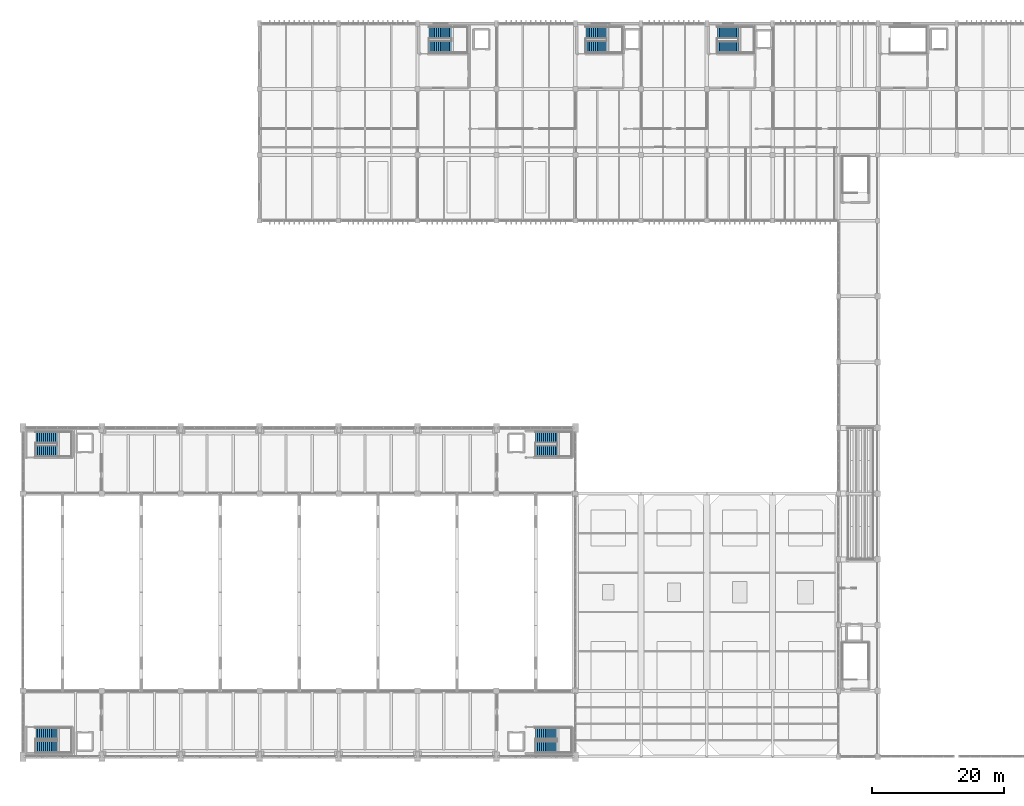
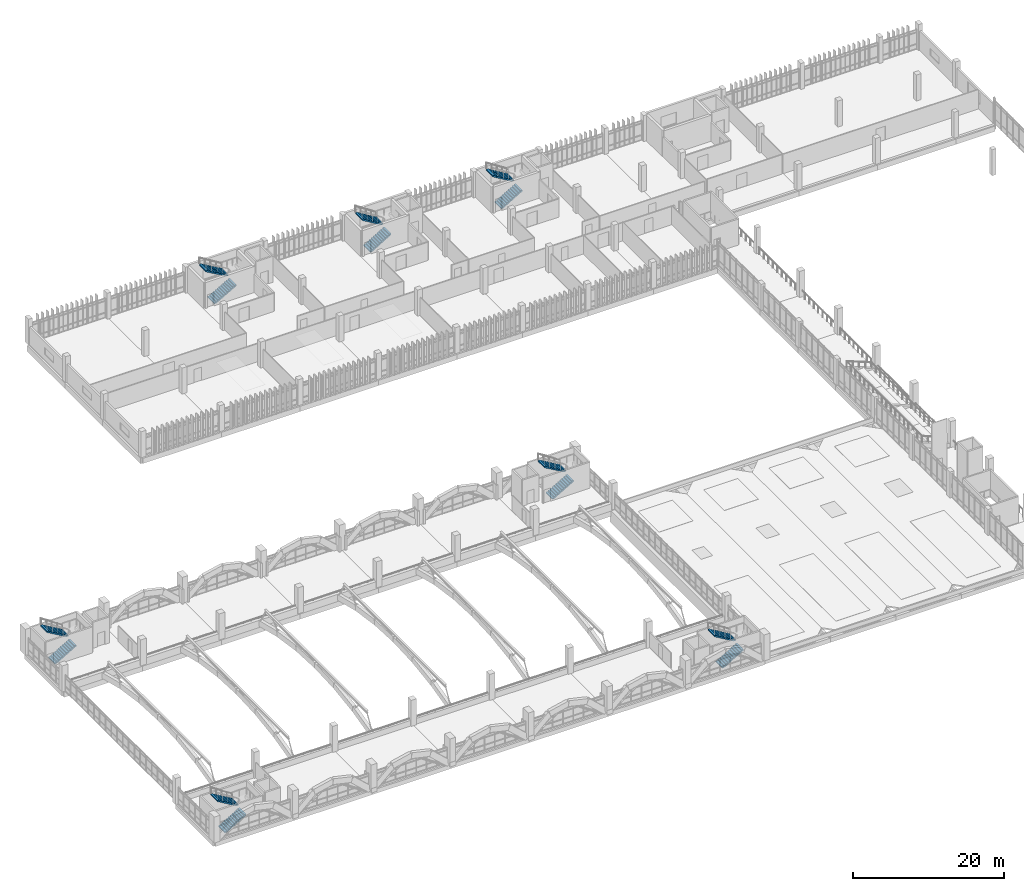
# One storey, part 152 of 161: 14 stair flights, 7 elements without a shape of their own.
"""IFC4 building model written with IfcOpenShell, lengths in metres."""

from ifc_helpers import new_model, si_unit, direction, frame, origin, place, context, subcontext, project, spatial, polyline, outline, extrude, material, type_object, element, aggregate, save


model = new_model("IFC4")

# Units and contexts
model_context = context("Model", 3, precision=1e-05, world=origin(), true_north=direction((0.0, 1.0)))
body_context = subcontext(model_context, "Body", "Model", "MODEL_VIEW")
ifc_project = project(units=[si_unit("LENGTHUNIT", "METRE"), si_unit("AREAUNIT", "SQUARE_METRE"), si_unit("VOLUMEUNIT", "CUBIC_METRE"), si_unit("PLANEANGLEUNIT", "RADIAN"), si_unit("MASSUNIT", "GRAM", prefix="KILO")], contexts=[model_context])

# Site, building, storey
site_placement = place(None, origin())
site = spatial("IfcSite", under=ifc_project, at=site_placement, CompositionType="ELEMENT")
building_placement = place(site_placement, origin())
building = spatial("IfcBuilding", under=site, at=building_placement, Name="Mersad Railyard Sports Hall", CompositionType="ELEMENT")
storey_placement = place(building_placement, frame((0.0, 0.0, 4.800048828125)))
storey = spatial("IfcBuildingStorey", under=building, at=storey_placement, Name="L01", CompositionType="ELEMENT", Elevation=4.800048828125)

# Stair, stair flights
ifc_material = material(Name="Concrete C40/50", Category="concrete")
stair_type_1 = type_object("IfcStairType", Name="ARC-ST-ST01C", PredefinedType="HALF_TURN_STAIR", material=ifc_material)
stair_1_placement = place(storey_placement, origin())
stair_1 = element("IfcStair", 1, at=stair_1_placement, inside=storey, type_object=stair_type_1, Name="Core C1 Exit Stair L01-L02", PredefinedType="HALF_TURN_STAIR")
stair_flight_type_1 = type_object("IfcStairFlightType", Name="ARC-SF-ST01CF", PredefinedType="STRAIGHT", material=ifc_material)
stair_flight_1_placement = place(storey_placement, frame((68.75, 111.419921875, 0.0), z_axis=(0.0, 0.0, 1.0), x_axis=(1.0, 0.0, 0.0)))
stair_flight_1 = element("IfcStairFlight", 2, at=stair_flight_1_placement, type_object=stair_flight_type_1, Name="Core C1 Exit Stair L01-L02 Flight 1", NumberOfRisers=13, NumberOfTreads=12, PredefinedType="STRAIGHT", RiserHeight=0.161538, TreadLength=0.285, context=body_context, shape_type="SweptSolid", body=[
    extrude(outline(polyline([(0.0, 0.0), (0.0, 0.16162109375), (0.284912109375, 0.16162109375), (0.284912109375, 0.322998046875), (0.570068359375, 0.322998046875), (0.570068359375, 0.484619140625), (0.85498046875, 0.484619140625), (0.85498046875, 0.646240234375), (1.139892578125, 0.646240234375), (1.139892578125, 0.8076171875), (1.425048828125, 0.8076171875), (1.425048828125, 0.96923828125), (1.7099609375, 0.96923828125), (1.7099609375, 1.130859375), (1.9951171875, 1.130859375), (1.9951171875, 1.292236328125), (2.280029296875, 1.292236328125), (2.280029296875, 1.453857421875), (2.56494140625, 1.453857421875), (2.56494140625, 1.615478515625), (2.85009765625, 1.615478515625), (2.85009765625, 1.77685546875), (3.135009765625, 1.77685546875), (3.135009765625, 1.9384765625), (3.419921875, 1.9384765625), (3.419921875, 2.10009765625), (3.419921875, 1.754638671875), (0.32421875, 0.0), (0.0, 0.0)])), frame((0.0, 0.89990234375, 0.0), z_axis=(0.0, -1.0, 0.0), x_axis=(1.0, 0.0, 0.0)), (0.0, 0.0, 1.0), 1.800048828125),
])
stair_flight_2_placement = place(storey_placement, frame((72.169921875, 113.580078125, 2.099853515625), z_axis=(0.0, 0.0, 1.0), x_axis=(-1.0, 0.0, 0.0)))
stair_flight_2 = element("IfcStairFlight", 3, at=stair_flight_2_placement, type_object=stair_flight_type_1, Name="Core C1 Exit Stair L01-L02 Flight 2", NumberOfRisers=13, NumberOfTreads=12, PredefinedType="STRAIGHT", RiserHeight=0.161538, TreadLength=0.285, context=body_context, shape_type="SweptSolid", body=[
    extrude(outline(polyline([(0.0, 0.0), (0.0, 0.16162109375), (0.284912109375, 0.16162109375), (0.284912109375, 0.322998046875), (0.570068359375, 0.322998046875), (0.570068359375, 0.484619140625), (0.85498046875, 0.484619140625), (0.85498046875, 0.646240234375), (1.139892578125, 0.646240234375), (1.139892578125, 0.8076171875), (1.425048828125, 0.8076171875), (1.425048828125, 0.96923828125), (1.7099609375, 0.96923828125), (1.7099609375, 1.130859375), (1.9951171875, 1.130859375), (1.9951171875, 1.292236328125), (2.280029296875, 1.292236328125), (2.280029296875, 1.453857421875), (2.56494140625, 1.453857421875), (2.56494140625, 1.615478515625), (2.85009765625, 1.615478515625), (2.85009765625, 1.77685546875), (3.135009765625, 1.77685546875), (3.135009765625, 1.9384765625), (3.419921875, 1.9384765625), (3.419921875, 2.10009765625), (3.419921875, 1.754638671875), (0.32421875, 0.0), (0.0, 0.0)])), frame((0.0, 0.89990234375, 0.0), z_axis=(0.0, -1.0, 0.0), x_axis=(1.0, 0.0, 0.0)), (0.0, 0.0, 1.0), 1.800048828125),
])
aggregate(stair_1, [stair_flight_1, stair_flight_2])

stair_type_2 = type_object("IfcStairType", Name="ARC-ST-ST02C", PredefinedType="HALF_TURN_STAIR", material=ifc_material)
stair_2_placement = place(storey_placement, origin())
stair_2 = element("IfcStair", 4, at=stair_2_placement, inside=storey, type_object=stair_type_2, Name="Core C2 Exit Stair L01-L02", PredefinedType="HALF_TURN_STAIR")
stair_flight_type_2 = type_object("IfcStairFlightType", Name="ARC-SF-ST02CF", PredefinedType="STRAIGHT", material=ifc_material)
stair_flight_3_placement = place(storey_placement, frame((92.60009765625, 111.419921875, 0.0), z_axis=(0.0, 0.0, 1.0), x_axis=(1.0, 0.0, 0.0)))
stair_flight_3 = element("IfcStairFlight", 5, at=stair_flight_3_placement, type_object=stair_flight_type_2, Name="Core C2 Exit Stair L01-L02 Flight 1", NumberOfRisers=12, NumberOfTreads=11, PredefinedType="STRAIGHT", RiserHeight=0.175, TreadLength=0.29, context=body_context, shape_type="SweptSolid", body=[
    extrude(outline(polyline([(0.0, 0.0), (0.0, 0.175048828125), (0.2900390625, 0.175048828125), (0.2900390625, 0.35009765625), (0.580078125, 0.35009765625), (0.580078125, 0.52490234375), (0.8701171875, 0.52490234375), (0.8701171875, 0.699951171875), (1.159912109375, 0.699951171875), (1.159912109375, 0.875), (1.449951171875, 0.875), (1.449951171875, 1.050048828125), (1.739990234375, 1.050048828125), (1.739990234375, 1.22509765625), (2.030029296875, 1.22509765625), (2.030029296875, 1.39990234375), (2.320068359375, 1.39990234375), (2.320068359375, 1.574951171875), (2.610107421875, 1.574951171875), (2.610107421875, 1.75), (2.89990234375, 1.75), (2.89990234375, 1.925048828125), (3.18994140625, 1.925048828125), (3.18994140625, 2.10009765625), (3.18994140625, 1.73828125), (0.3095703125, 0.0), (0.0, 0.0)])), frame((0.0, 0.89990234375, 0.0), z_axis=(0.0, -1.0, 0.0), x_axis=(1.0, 0.0, 0.0)), (0.0, 0.0, 1.0), 1.800048828125),
])
stair_flight_4_placement = place(storey_placement, frame((95.7900390625, 113.580078125, 2.099853515625), z_axis=(0.0, 0.0, 1.0), x_axis=(-1.0, 0.0, 0.0)))
stair_flight_4 = element("IfcStairFlight", 6, at=stair_flight_4_placement, type_object=stair_flight_type_2, Name="Core C2 Exit Stair L01-L02 Flight 2", NumberOfRisers=12, NumberOfTreads=11, PredefinedType="STRAIGHT", RiserHeight=0.175, TreadLength=0.29, context=body_context, shape_type="SweptSolid", body=[
    extrude(outline(polyline([(0.0, 0.0), (0.0, 0.175048828125), (0.2900390625, 0.175048828125), (0.2900390625, 0.35009765625), (0.580078125, 0.35009765625), (0.580078125, 0.52490234375), (0.8701171875, 0.52490234375), (0.8701171875, 0.699951171875), (1.159912109375, 0.699951171875), (1.159912109375, 0.875), (1.449951171875, 0.875), (1.449951171875, 1.050048828125), (1.739990234375, 1.050048828125), (1.739990234375, 1.22509765625), (2.030029296875, 1.22509765625), (2.030029296875, 1.39990234375), (2.320068359375, 1.39990234375), (2.320068359375, 1.574951171875), (2.610107421875, 1.574951171875), (2.610107421875, 1.75), (2.89990234375, 1.75), (2.89990234375, 1.925048828125), (3.18994140625, 1.925048828125), (3.18994140625, 2.10009765625), (3.18994140625, 1.73828125), (0.3095703125, 0.0), (0.0, 0.0)])), frame((0.0, 0.89990234375, 0.0), z_axis=(0.0, -1.0, 0.0), x_axis=(1.0, 0.0, 0.0)), (0.0, 0.0, 1.0), 1.800048828125),
])
aggregate(stair_2, [stair_flight_3, stair_flight_4])

stair_type_3 = type_object("IfcStairType", Name="ARC-ST-ST03C", PredefinedType="HALF_TURN_STAIR", material=ifc_material)
stair_3_placement = place(storey_placement, origin())
stair_3 = element("IfcStair", 7, at=stair_3_placement, inside=storey, type_object=stair_type_3, Name="Core C3 Exit Stair L01-L02", PredefinedType="HALF_TURN_STAIR")
stair_flight_type_3 = type_object("IfcStairFlightType", Name="ARC-SF-ST03CF", PredefinedType="STRAIGHT", material=ifc_material)
stair_flight_5_placement = place(storey_placement, frame((112.60009765625, 111.39990234375, 0.0), z_axis=(0.0, 0.0, 1.0), x_axis=(1.0, 0.0, 0.0)))
stair_flight_5 = element("IfcStairFlight", 8, at=stair_flight_5_placement, type_object=stair_flight_type_3, Name="Core C3 Exit Stair L01-L02 Flight 1", NumberOfRisers=12, NumberOfTreads=11, PredefinedType="STRAIGHT", RiserHeight=0.175, TreadLength=0.294, context=body_context, shape_type="SweptSolid", body=[
    extrude(outline(polyline([(0.0, 0.0), (0.0, 0.175048828125), (0.2939453125, 0.175048828125), (0.2939453125, 0.35009765625), (0.587890625, 0.35009765625), (0.587890625, 0.52490234375), (0.882080078125, 0.52490234375), (0.882080078125, 0.699951171875), (1.176025390625, 0.699951171875), (1.176025390625, 0.875), (1.469970703125, 0.875), (1.469970703125, 1.050048828125), (1.763916015625, 1.050048828125), (1.763916015625, 1.22509765625), (2.05810546875, 1.22509765625), (2.05810546875, 1.39990234375), (2.35205078125, 1.39990234375), (2.35205078125, 1.574951171875), (2.64599609375, 1.574951171875), (2.64599609375, 1.75), (2.93994140625, 1.75), (2.93994140625, 1.925048828125), (3.23388671875, 1.925048828125), (3.23388671875, 2.10009765625), (3.23388671875, 1.739013671875), (0.312744140625, 0.0), (0.0, 0.0)])), frame((0.0, 0.8798828125, 0.0), z_axis=(0.0, -1.0, 0.0), x_axis=(1.0, 0.0, 0.0)), (0.0, 0.0, 1.0), 1.760009765625),
])
stair_flight_6_placement = place(storey_placement, frame((115.833984375, 113.60009765625, 2.099853515625), z_axis=(0.0, 0.0, 1.0), x_axis=(-1.0, 0.0, 0.0)))
stair_flight_6 = element("IfcStairFlight", 9, at=stair_flight_6_placement, type_object=stair_flight_type_3, Name="Core C3 Exit Stair L01-L02 Flight 2", NumberOfRisers=12, NumberOfTreads=11, PredefinedType="STRAIGHT", RiserHeight=0.175, TreadLength=0.294, context=body_context, shape_type="SweptSolid", body=[
    extrude(outline(polyline([(0.0, 0.0), (0.0, 0.175048828125), (0.2939453125, 0.175048828125), (0.2939453125, 0.35009765625), (0.587890625, 0.35009765625), (0.587890625, 0.52490234375), (0.882080078125, 0.52490234375), (0.882080078125, 0.699951171875), (1.176025390625, 0.699951171875), (1.176025390625, 0.875), (1.469970703125, 0.875), (1.469970703125, 1.050048828125), (1.763916015625, 1.050048828125), (1.763916015625, 1.22509765625), (2.05810546875, 1.22509765625), (2.05810546875, 1.39990234375), (2.35205078125, 1.39990234375), (2.35205078125, 1.574951171875), (2.64599609375, 1.574951171875), (2.64599609375, 1.75), (2.93994140625, 1.75), (2.93994140625, 1.925048828125), (3.23388671875, 1.925048828125), (3.23388671875, 2.10009765625), (3.23388671875, 1.739013671875), (0.312744140625, 0.0), (0.0, 0.0)])), frame((0.0, 0.8798828125, 0.0), z_axis=(0.0, -1.0, 0.0), x_axis=(1.0, 0.0, 0.0)), (0.0, 0.0, 1.0), 1.760009765625),
])
aggregate(stair_3, [stair_flight_5, stair_flight_6])

stair_type_4 = type_object("IfcStairType", Name="ARC-ST-ST05B", PredefinedType="HALF_TURN_STAIR", material=ifc_material)
stair_4_placement = place(storey_placement, origin())
stair_4 = element("IfcStair", 10, at=stair_4_placement, inside=storey, type_object=stair_type_4, Name="SW Pavilion Pitch Stair L01-L02", PredefinedType="HALF_TURN_STAIR")
stair_flight_type_4 = type_object("IfcStairFlightType", Name="ARC-SF-ST05BF", PredefinedType="STRAIGHT", material=ifc_material)
stair_flight_7_placement = place(storey_placement, frame((8.949951171875, 4.989990234375, 0.0), z_axis=(0.0, 0.0, 1.0), x_axis=(1.0, 0.0, 0.0)))
stair_flight_7 = element("IfcStairFlight", 11, at=stair_flight_7_placement, type_object=stair_flight_type_4, Name="SW Pavilion Pitch Stair L01-L02 Flight 1", NumberOfRisers=12, NumberOfTreads=11, PredefinedType="STRAIGHT", RiserHeight=0.175, TreadLength=0.295, context=body_context, shape_type="SweptSolid", body=[
    extrude(outline(polyline([(0.0, 0.0), (0.0, 0.175048828125), (0.294921875, 0.175048828125), (0.294921875, 0.35009765625), (0.590087890625, 0.35009765625), (0.590087890625, 0.52490234375), (0.885009765625, 0.52490234375), (0.885009765625, 0.699951171875), (1.179931640625, 0.699951171875), (1.179931640625, 0.875), (1.47509765625, 0.875), (1.47509765625, 1.050048828125), (1.77001953125, 1.050048828125), (1.77001953125, 1.22509765625), (2.06494140625, 1.22509765625), (2.06494140625, 1.39990234375), (2.360107421875, 1.39990234375), (2.360107421875, 1.574951171875), (2.655029296875, 1.574951171875), (2.655029296875, 1.75), (2.949951171875, 1.75), (2.949951171875, 1.925048828125), (3.2451171875, 1.925048828125), (3.2451171875, 2.10009765625), (3.2451171875, 1.739013671875), (0.3134765625, 0.0), (0.0, 0.0)])), frame((0.0, 0.8701171875, 0.0), z_axis=(0.0, -1.0, 0.0), x_axis=(1.0, 0.0, 0.0)), (0.0, 0.0, 1.0), 1.739990234375),
])
stair_flight_8_placement = place(storey_placement, frame((12.195068359375, 7.010009765625, 2.099853515625), z_axis=(0.0, 0.0, 1.0), x_axis=(-1.0, 0.0, 0.0)))
stair_flight_8 = element("IfcStairFlight", 12, at=stair_flight_8_placement, type_object=stair_flight_type_4, Name="SW Pavilion Pitch Stair L01-L02 Flight 2", NumberOfRisers=12, NumberOfTreads=11, PredefinedType="STRAIGHT", RiserHeight=0.175, TreadLength=0.295, context=body_context, shape_type="SweptSolid", body=[
    extrude(outline(polyline([(0.0, 0.0), (0.0, 0.175048828125), (0.294921875, 0.175048828125), (0.294921875, 0.35009765625), (0.590087890625, 0.35009765625), (0.590087890625, 0.52490234375), (0.885009765625, 0.52490234375), (0.885009765625, 0.699951171875), (1.179931640625, 0.699951171875), (1.179931640625, 0.875), (1.47509765625, 0.875), (1.47509765625, 1.050048828125), (1.77001953125, 1.050048828125), (1.77001953125, 1.22509765625), (2.06494140625, 1.22509765625), (2.06494140625, 1.39990234375), (2.360107421875, 1.39990234375), (2.360107421875, 1.574951171875), (2.655029296875, 1.574951171875), (2.655029296875, 1.75), (2.949951171875, 1.75), (2.949951171875, 1.925048828125), (3.2451171875, 1.925048828125), (3.2451171875, 2.10009765625), (3.2451171875, 1.739013671875), (0.3134765625, 0.0), (0.0, 0.0)])), frame((0.0, 0.8701171875, 0.0), z_axis=(0.0, -1.0, 0.0), x_axis=(1.0, 0.0, 0.0)), (0.0, 0.0, 1.0), 1.739990234375),
])
aggregate(stair_4, [stair_flight_7, stair_flight_8])

stair_type_5 = type_object("IfcStairType", Name="ARC-ST-ST06B", PredefinedType="HALF_TURN_STAIR", material=ifc_material)
stair_5_placement = place(storey_placement, origin())
stair_5 = element("IfcStair", 13, at=stair_5_placement, inside=storey, type_object=stair_type_5, Name="SE Pavilion Pitch Stair L01-L02", PredefinedType="HALF_TURN_STAIR")
stair_flight_type_5 = type_object("IfcStairFlightType", Name="ARC-SF-ST06BF", PredefinedType="STRAIGHT", material=ifc_material)
stair_flight_9_placement = place(storey_placement, frame((84.949951171875, 4.97998046875, 0.0), z_axis=(0.0, 0.0, 1.0), x_axis=(1.0, 0.0, 0.0)))
stair_flight_9 = element("IfcStairFlight", 14, at=stair_flight_9_placement, type_object=stair_flight_type_5, Name="SE Pavilion Pitch Stair L01-L02 Flight 1", NumberOfRisers=12, NumberOfTreads=11, PredefinedType="STRAIGHT", RiserHeight=0.175, TreadLength=0.296, context=body_context, shape_type="SweptSolid", body=[
    extrude(outline(polyline([(0.0, 0.0), (0.0, 0.175048828125), (0.2958984375, 0.175048828125), (0.2958984375, 0.35009765625), (0.592041015625, 0.35009765625), (0.592041015625, 0.52490234375), (0.887939453125, 0.52490234375), (0.887939453125, 0.699951171875), (1.18408203125, 0.699951171875), (1.18408203125, 0.875), (1.47998046875, 0.875), (1.47998046875, 1.050048828125), (1.77587890625, 1.050048828125), (1.77587890625, 1.22509765625), (2.072021484375, 1.22509765625), (2.072021484375, 1.39990234375), (2.367919921875, 1.39990234375), (2.367919921875, 1.574951171875), (2.6640625, 1.574951171875), (2.6640625, 1.75), (2.9599609375, 1.75), (2.9599609375, 1.925048828125), (3.256103515625, 1.925048828125), (3.256103515625, 2.10009765625), (3.256103515625, 1.7392578125), (0.314208984375, 0.0), (0.0, 0.0)])), frame((0.0, 0.85986328125, 0.0), z_axis=(0.0, -1.0, 0.0), x_axis=(1.0, 0.0, 0.0)), (0.0, 0.0, 1.0), 1.719970703125),
])
stair_flight_10_placement = place(storey_placement, frame((88.2060546875, 7.02001953125, 2.099853515625), z_axis=(0.0, 0.0, 1.0), x_axis=(-1.0, 0.0, 0.0)))
stair_flight_10 = element("IfcStairFlight", 15, at=stair_flight_10_placement, type_object=stair_flight_type_5, Name="SE Pavilion Pitch Stair L01-L02 Flight 2", NumberOfRisers=12, NumberOfTreads=11, PredefinedType="STRAIGHT", RiserHeight=0.175, TreadLength=0.296, context=body_context, shape_type="SweptSolid", body=[
    extrude(outline(polyline([(0.0, 0.0), (0.0, 0.175048828125), (0.2958984375, 0.175048828125), (0.2958984375, 0.35009765625), (0.592041015625, 0.35009765625), (0.592041015625, 0.52490234375), (0.887939453125, 0.52490234375), (0.887939453125, 0.699951171875), (1.18408203125, 0.699951171875), (1.18408203125, 0.875), (1.47998046875, 0.875), (1.47998046875, 1.050048828125), (1.77587890625, 1.050048828125), (1.77587890625, 1.22509765625), (2.072021484375, 1.22509765625), (2.072021484375, 1.39990234375), (2.367919921875, 1.39990234375), (2.367919921875, 1.574951171875), (2.6640625, 1.574951171875), (2.6640625, 1.75), (2.9599609375, 1.75), (2.9599609375, 1.925048828125), (3.256103515625, 1.925048828125), (3.256103515625, 2.10009765625), (3.256103515625, 1.7392578125), (0.314208984375, 0.0), (0.0, 0.0)])), frame((0.0, 0.85986328125, 0.0), z_axis=(0.0, -1.0, 0.0), x_axis=(1.0, 0.0, 0.0)), (0.0, 0.0, 1.0), 1.719970703125),
])
aggregate(stair_5, [stair_flight_9, stair_flight_10])

stair_type_6 = type_object("IfcStairType", Name="ARC-ST-ST07B", PredefinedType="HALF_TURN_STAIR", material=ifc_material)
stair_6_placement = place(storey_placement, origin())
stair_6 = element("IfcStair", 16, at=stair_6_placement, inside=storey, type_object=stair_type_6, Name="NW Pavilion Pitch Stair L01-L02", PredefinedType="HALF_TURN_STAIR")
stair_flight_type_6 = type_object("IfcStairFlightType", Name="ARC-SF-ST07BF", PredefinedType="STRAIGHT", material=ifc_material)
stair_flight_11_placement = place(storey_placement, frame((8.949951171875, 49.969970703125, 0.0), z_axis=(0.0, 0.0, 1.0), x_axis=(1.0, 0.0, 0.0)))
stair_flight_11 = element("IfcStairFlight", 17, at=stair_flight_11_placement, type_object=stair_flight_type_6, Name="NW Pavilion Pitch Stair L01-L02 Flight 1", NumberOfRisers=12, NumberOfTreads=11, PredefinedType="STRAIGHT", RiserHeight=0.175, TreadLength=0.298, context=body_context, shape_type="SweptSolid", body=[
    extrude(outline(polyline([(0.0, 0.0), (0.0, 0.175048828125), (0.298095703125, 0.175048828125), (0.298095703125, 0.35009765625), (0.595947265625, 0.35009765625), (0.595947265625, 0.52490234375), (0.89404296875, 0.52490234375), (0.89404296875, 0.699951171875), (1.19189453125, 0.699951171875), (1.19189453125, 0.875), (1.489990234375, 0.875), (1.489990234375, 1.050048828125), (1.7880859375, 1.050048828125), (1.7880859375, 1.22509765625), (2.0859375, 1.22509765625), (2.0859375, 1.39990234375), (2.384033203125, 1.39990234375), (2.384033203125, 1.574951171875), (2.681884765625, 1.574951171875), (2.681884765625, 1.75), (2.97998046875, 1.75), (2.97998046875, 1.925048828125), (3.278076171875, 1.925048828125), (3.278076171875, 2.10009765625), (3.278076171875, 1.739501953125), (0.315673828125, 0.0), (0.0, 0.0)])), frame((0.0, 0.85009765625, 0.0), z_axis=(0.0, -1.0, 0.0), x_axis=(1.0, 0.0, 0.0)), (0.0, 0.0, 1.0), 1.699951171875),
])
stair_flight_12_placement = place(storey_placement, frame((12.22802734375, 52.030029296875, 2.099853515625), z_axis=(0.0, 0.0, 1.0), x_axis=(-1.0, 0.0, 0.0)))
stair_flight_12 = element("IfcStairFlight", 18, at=stair_flight_12_placement, type_object=stair_flight_type_6, Name="NW Pavilion Pitch Stair L01-L02 Flight 2", NumberOfRisers=12, NumberOfTreads=11, PredefinedType="STRAIGHT", RiserHeight=0.175, TreadLength=0.298, context=body_context, shape_type="SweptSolid", body=[
    extrude(outline(polyline([(0.0, 0.0), (0.0, 0.175048828125), (0.298095703125, 0.175048828125), (0.298095703125, 0.35009765625), (0.595947265625, 0.35009765625), (0.595947265625, 0.52490234375), (0.89404296875, 0.52490234375), (0.89404296875, 0.699951171875), (1.19189453125, 0.699951171875), (1.19189453125, 0.875), (1.489990234375, 0.875), (1.489990234375, 1.050048828125), (1.7880859375, 1.050048828125), (1.7880859375, 1.22509765625), (2.0859375, 1.22509765625), (2.0859375, 1.39990234375), (2.384033203125, 1.39990234375), (2.384033203125, 1.574951171875), (2.681884765625, 1.574951171875), (2.681884765625, 1.75), (2.97998046875, 1.75), (2.97998046875, 1.925048828125), (3.278076171875, 1.925048828125), (3.278076171875, 2.10009765625), (3.278076171875, 1.739501953125), (0.315673828125, 0.0), (0.0, 0.0)])), frame((0.0, 0.85009765625, 0.0), z_axis=(0.0, -1.0, 0.0), x_axis=(1.0, 0.0, 0.0)), (0.0, 0.0, 1.0), 1.699951171875),
])
aggregate(stair_6, [stair_flight_11, stair_flight_12])

stair_type_7 = type_object("IfcStairType", Name="ARC-ST-ST08B", PredefinedType="HALF_TURN_STAIR", material=ifc_material)
stair_7_placement = place(storey_placement, origin())
stair_7 = element("IfcStair", 19, at=stair_7_placement, inside=storey, type_object=stair_type_7, Name="NE Pavilion Pitch Stair L01-L02", PredefinedType="HALF_TURN_STAIR")
stair_flight_type_7 = type_object("IfcStairFlightType", Name="ARC-SF-ST08BF", PredefinedType="STRAIGHT", material=ifc_material)
stair_flight_13_placement = place(storey_placement, frame((84.949951171875, 49.9599609375, 0.0), z_axis=(0.0, 0.0, 1.0), x_axis=(1.0, 0.0, 0.0)))
stair_flight_13 = element("IfcStairFlight", 20, at=stair_flight_13_placement, type_object=stair_flight_type_7, Name="NE Pavilion Pitch Stair L01-L02 Flight 1", NumberOfRisers=12, NumberOfTreads=11, PredefinedType="STRAIGHT", RiserHeight=0.175, TreadLength=0.3, context=body_context, shape_type="SweptSolid", body=[
    extrude(outline(polyline([(0.0, 0.0), (0.0, 0.175048828125), (0.300048828125, 0.175048828125), (0.300048828125, 0.35009765625), (0.60009765625, 0.35009765625), (0.60009765625, 0.52490234375), (0.89990234375, 0.52490234375), (0.89990234375, 0.699951171875), (1.199951171875, 0.699951171875), (1.199951171875, 0.875), (1.5, 0.875), (1.5, 1.050048828125), (1.800048828125, 1.050048828125), (1.800048828125, 1.22509765625), (2.10009765625, 1.22509765625), (2.10009765625, 1.39990234375), (2.39990234375, 1.39990234375), (2.39990234375, 1.574951171875), (2.699951171875, 1.574951171875), (2.699951171875, 1.75), (3.0, 1.75), (3.0, 1.925048828125), (3.300048828125, 1.925048828125), (3.300048828125, 2.10009765625), (3.300048828125, 1.739990234375), (0.3173828125, 0.0), (0.0, 0.0)])), frame((0.0, 0.83984375, 0.0), z_axis=(0.0, -1.0, 0.0), x_axis=(1.0, 0.0, 0.0)), (0.0, 0.0, 1.0), 1.679931640625),
])
stair_flight_14_placement = place(storey_placement, frame((88.25, 52.0400390625, 2.099853515625), z_axis=(0.0, 0.0, 1.0), x_axis=(-1.0, 0.0, 0.0)))
stair_flight_14 = element("IfcStairFlight", 21, at=stair_flight_14_placement, type_object=stair_flight_type_7, Name="NE Pavilion Pitch Stair L01-L02 Flight 2", NumberOfRisers=12, NumberOfTreads=11, PredefinedType="STRAIGHT", RiserHeight=0.175, TreadLength=0.3, context=body_context, shape_type="SweptSolid", body=[
    extrude(outline(polyline([(0.0, 0.0), (0.0, 0.175048828125), (0.300048828125, 0.175048828125), (0.300048828125, 0.35009765625), (0.60009765625, 0.35009765625), (0.60009765625, 0.52490234375), (0.89990234375, 0.52490234375), (0.89990234375, 0.699951171875), (1.199951171875, 0.699951171875), (1.199951171875, 0.875), (1.5, 0.875), (1.5, 1.050048828125), (1.800048828125, 1.050048828125), (1.800048828125, 1.22509765625), (2.10009765625, 1.22509765625), (2.10009765625, 1.39990234375), (2.39990234375, 1.39990234375), (2.39990234375, 1.574951171875), (2.699951171875, 1.574951171875), (2.699951171875, 1.75), (3.0, 1.75), (3.0, 1.925048828125), (3.300048828125, 1.925048828125), (3.300048828125, 2.10009765625), (3.300048828125, 1.739990234375), (0.3173828125, 0.0), (0.0, 0.0)])), frame((0.0, 0.83984375, 0.0), z_axis=(0.0, -1.0, 0.0), x_axis=(1.0, 0.0, 0.0)), (0.0, 0.0, 1.0), 1.679931640625),
])
aggregate(stair_7, [stair_flight_13, stair_flight_14])

save(model, "model.ifc")
